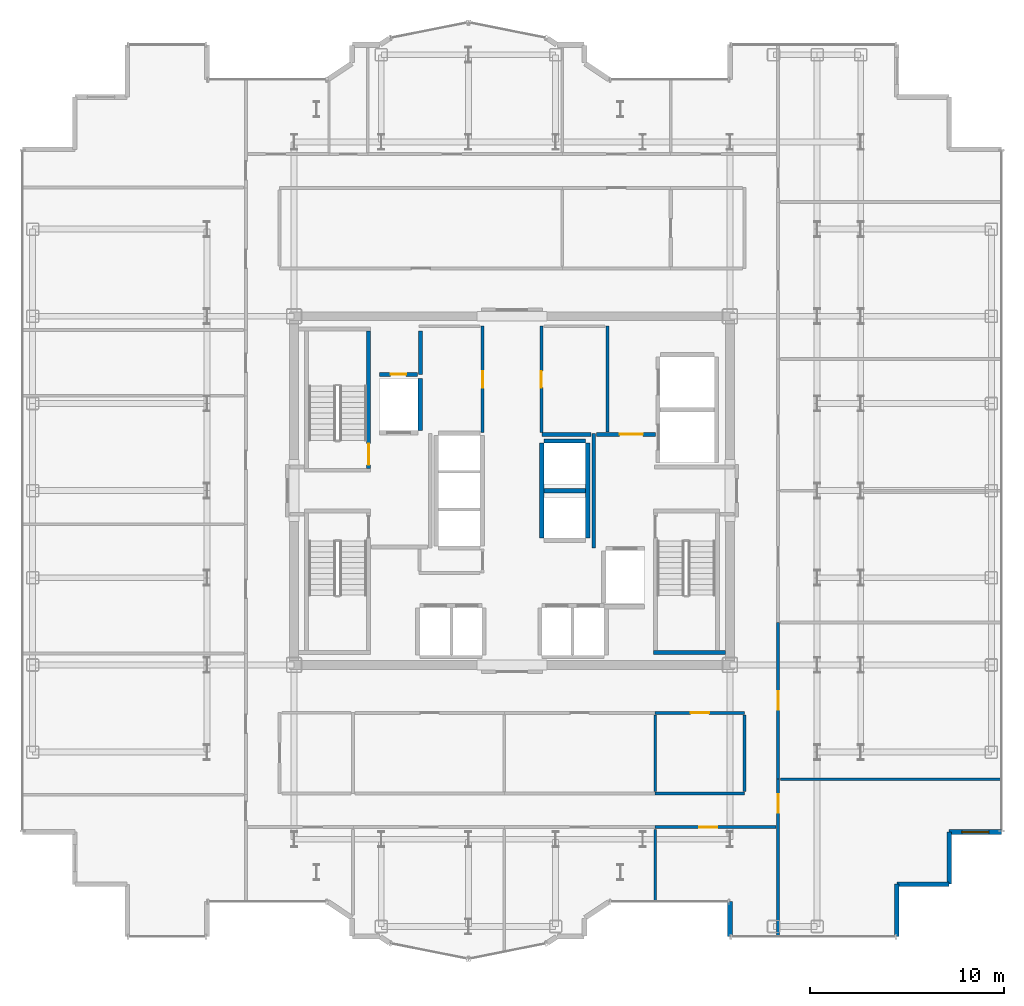
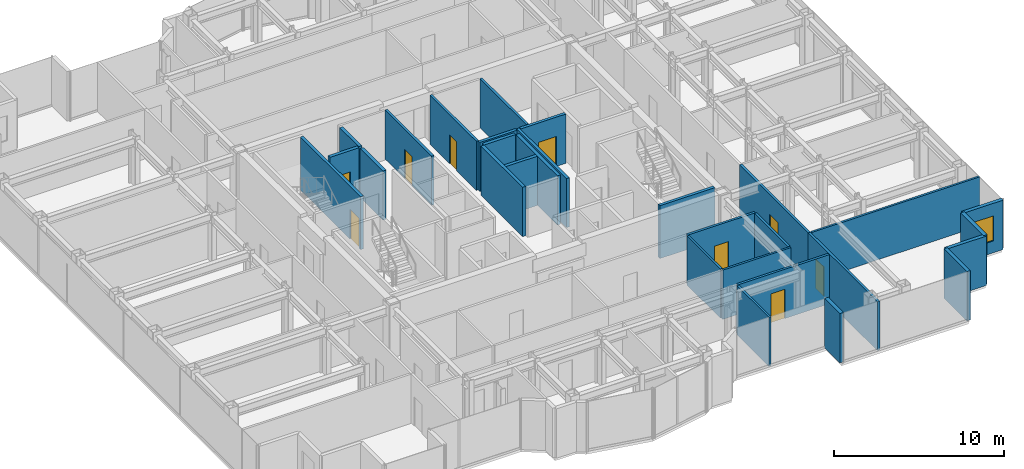
# One storey, part 16 of 20: 29 walls, 9 doors, 1 window, 10 openings.
"""IFC4 building model written with IfcOpenShell, lengths in metres."""

from ifc_helpers import new_model, si_unit, direction, frame, frame_2d, origin, place, context, subcontext, project, spatial, rectangle, extrude, source, transform, mapped, material, layer, layer_set, type_object, element, fill, save


model = new_model("IFC4")

# Units and contexts
model_context = context("Model", 3, precision=1e-05, world=origin(), true_north=direction((0.0, 1.0)))
body_context = subcontext(model_context, "Body", "Model", "MODEL_VIEW")
ifc_project = project(units=[si_unit("LENGTHUNIT", "METRE"), si_unit("AREAUNIT", "SQUARE_METRE"), si_unit("VOLUMEUNIT", "CUBIC_METRE"), si_unit("PLANEANGLEUNIT", "RADIAN"), si_unit("MASSUNIT", "GRAM", prefix="KILO")], contexts=[model_context])

# Site, building, storey
site_placement = place(None, origin())
site = spatial("IfcSite", under=ifc_project, at=site_placement, CompositionType="ELEMENT")
building_placement = place(site_placement, origin())
building = spatial("IfcBuilding", under=site, at=building_placement, Name="Nefas-Gora Pilgrimage Tower", CompositionType="ELEMENT")
storey_placement = place(building_placement, frame((0.0, 0.0, 214.199951171875)))
storey = spatial("IfcBuildingStorey", under=building, at=storey_placement, Name="L53", CompositionType="ELEMENT", Elevation=214.199951171875)

# Walls
ifc_material_1 = material(Name="Precast concrete C40/50", Category="concrete")
ifc_layer_1 = layer(ifc_material_1, 0.260009765625)
ifc_layer_set_1 = layer_set([ifc_layer_1], Name="Precast concrete C40/50")
wall_type_1 = type_object("IfcWallType", Name="EW-PORTAL-260", PredefinedType="SOLIDWALL", material=ifc_layer_set_1)
shared_shape_1 = source(origin(), body_context, "Body", "SweptSolid", [
    extrude(rectangle(XDim=1.800048828125, YDim=0.260009765625, at=frame_2d((0.89990234375, 0.0))), origin(), (0.0, 0.0, 1.0), 3.550048828125),
])
wall_1_placement = place(storey_placement, frame((11.25, -21.219970703125, 0.0), z_axis=(0.0, 0.0, 1.0), x_axis=(0.0, -1.0, 0.0)))
element("IfcWall", 1, at=wall_1_placement, inside=storey, type_object=wall_type_1, Name="L53 Lobe Shoulder Precast Spandrel Pier 1", PredefinedType="SOLIDWALL", context=body_context, shape_type="MappedRepresentation", body=[
    mapped(shared_shape_1, transform((0.0, 0.0, 0.0), x_axis=(1.0, 0.0, 0.0), y_axis=(0.0, 1.0, 0.0), z_axis=(0.0, 0.0, 1.0), scale=1.0)),
])
ifc_material_2 = material(Name="Precast concrete C45/55", Category="concrete")
ifc_layer_2 = layer(ifc_material_2, 0.239990234375)
ifc_layer_set_2 = layer_set([ifc_layer_2], Name="Precast concrete C45/55")
wall_type_2 = type_object("IfcWallType", Name="EW-SERR-240", PredefinedType="SHEAR", material=ifc_layer_set_2)
shared_shape_2 = source(origin(), body_context, "Body", "SweptSolid", [
    extrude(rectangle(XDim=2.699951171875, YDim=0.239990234375, at=frame_2d((1.35009765625, 0.0))), origin(), (0.0, 0.0, 1.0), 3.550048828125),
])
for number, where, z_axis, x_axis, name in (
    (2, (19.8701171875, -23.02001953125, 0.0), (0.0, 0.0, 1.0), (0.0, 1.0, 0.0), "L53 Serrated Corner Shear Pier Wall 2"),
    (3, (19.8701171875, -20.320068359375, 0.0), (0.0, 0.0, 1.0), (1.0, 0.0, 0.0), "L53 Serrated Corner Shear Pier Wall 3"),
    (4, (22.570068359375, -20.320068359375, 0.0), (0.0, 0.0, 1.0), (0.0, 1.0, 0.0), "L53 Serrated Corner Shear Pier Wall 4"),
):
    element("IfcWall", number, at=place(storey_placement, frame(where, z_axis=z_axis, x_axis=x_axis)), inside=storey, type_object=wall_type_2, Name=name, PredefinedType="SHEAR", context=body_context, shape_type="MappedRepresentation", body=[
        mapped(shared_shape_2, transform((0.0, 0.0, 0.0), x_axis=(1.0, 0.0, 0.0), y_axis=(0.0, 1.0, 0.0), z_axis=(0.0, 0.0, 1.0), scale=1.0)),
    ])

# Wall, opening, window
wall_2_placement = place(storey_placement, frame((22.570068359375, -17.6201171875, 0.0), z_axis=(0.0, 0.0, 1.0), x_axis=(1.0, 0.0, 0.0)))
wall_2 = element("IfcWall", 5, at=wall_2_placement, inside=storey, type_object=wall_type_2, Name="L53 Serrated Corner Shear Pier Wall 5", PredefinedType="SHEAR", context=body_context, shape_type="MappedRepresentation", body=[
    mapped(shared_shape_2, transform((0.0, 0.0, 0.0), x_axis=(1.0, 0.0, 0.0), y_axis=(0.0, 1.0, 0.0), z_axis=(0.0, 0.0, 1.0), scale=1.0)),
])
opening_1_placement = place(wall_2_placement, frame((0.64990234375, 0.0, 0.85009765625)))
opening_1 = element("IfcOpeningElement", 6, at=opening_1_placement, cuts=wall_2, Name="Opening W-V2", PredefinedType="OPENING", context=body_context, shape_type="SweptSolid", body=[
    extrude(rectangle(XDim=1.39990234375, YDim=1.800048828125, at=frame_2d((0.699951171875, 0.89990234375))), frame((0.0, 0.1298828125, 0.0), z_axis=(0.0, -1.0, 0.0), x_axis=(1.0, 0.0, 0.0)), (0.0, 0.0, 1.0), 0.260009765625),
])
ifc_material_3 = material(Name="Dark ceramic-fritted operable aluminium-glass window", Category="aluminium")
window_type = type_object("IfcWindowType", Name="WIN-VENT-1400x1800", PartitioningType="SINGLE_PANEL", PredefinedType="WINDOW", material=ifc_material_3)
shared_shape_3 = source(origin(), body_context, "Body", "SweptSolid", [
    extrude(rectangle(XDim=1.39990234375, YDim=1.800048828125, at=frame_2d((0.699951171875, 0.89990234375))), frame((0.0, 0.030029296875, 0.0), z_axis=(0.0, -1.0, 0.0), x_axis=(1.0, 0.0, 0.0)), (0.0, 0.0, 1.0), 0.06005859375),
])
window_placement = place(opening_1_placement, origin())
window = element("IfcWindow", 7, at=window_placement, inside=storey, type_object=window_type, Name="L53 Operable Parallel-Outswing Window 5", OverallHeight=1.800048828125, OverallWidth=1.39990234375, PartitioningType="SINGLE_PANEL", PredefinedType="WINDOW", context=body_context, shape_type="MappedRepresentation", body=[
    mapped(shared_shape_3, transform((0.0, 0.0, 0.0), x_axis=(1.0, 0.0, 0.0), y_axis=(0.0, 1.0, 0.0), z_axis=(0.0, 0.0, 1.0), scale=1.0)),
])
fill(opening_1, window)

# Wall, opening, door
ifc_material_4 = material(Name="Concrete C45/55", Category="concrete")
ifc_layer_3 = layer(ifc_material_4, 0.199951171875)
ifc_layer_set_3 = layer_set([ifc_layer_3], Name="Concrete C45/55")
wall_type_3 = type_object("IfcWallType", Name="IW-STAIR-200", PredefinedType="SOLIDWALL", material=ifc_layer_set_3)
shared_shape_4 = source(origin(), body_context, "Body", "SweptSolid", [
    extrude(rectangle(XDim=7.10009765625, YDim=0.199951171875, at=frame_2d((3.550048828125, 0.0))), origin(), (0.0, 0.0, 1.0), 3.800048828125),
])
wall_3_placement = place(storey_placement, frame((-7.39990234375, 1.14990234375, 0.0), z_axis=(0.0, 0.0, 1.0), x_axis=(0.0, 1.0, 0.0)))
wall_3 = element("IfcWall", 8, at=wall_3_placement, inside=storey, type_object=wall_type_3, Name="L53 Stairwell Shear Wall ST-01-left", PredefinedType="SOLIDWALL", context=body_context, shape_type="MappedRepresentation", body=[
    mapped(shared_shape_4, transform((0.0, 0.0, 0.0), x_axis=(1.0, 0.0, 0.0), y_axis=(0.0, 1.0, 0.0), z_axis=(0.0, 0.0, 1.0), scale=1.0)),
])
opening_2_placement = place(wall_3_placement, frame((0.179931640625, 0.0, 0.0)))
opening_2 = element("IfcOpeningElement", 9, at=opening_2_placement, cuts=wall_3, Name="Opening ID-ST1", PredefinedType="OPENING", context=body_context, shape_type="SweptSolid", body=[
    extrude(rectangle(XDim=1.10009765625, YDim=2.14990234375, at=frame_2d((0.550048828125, 1.074951171875))), frame((0.0, 0.10986328125, 0.0), z_axis=(0.0, -1.0, 0.0), x_axis=(1.0, 0.0, 0.0)), (0.0, 0.0, 1.0), 0.219970703125),
])
ifc_material_5 = material(Name="Painted galvanised steel fire stair door", Category="steel")
door_type_1 = type_object("IfcDoorType", Name="DR-INT-STAIR-1100", OperationType="NOTDEFINED", PredefinedType="DOOR", material=ifc_material_5)
shared_shape_5 = source(origin(), body_context, "Body", "SweptSolid", [
    extrude(rectangle(XDim=1.10009765625, YDim=2.14990234375, at=frame_2d((0.550048828125, 1.074951171875))), frame((0.0, 0.02490234375, 0.0), z_axis=(0.0, -1.0, 0.0), x_axis=(1.0, 0.0, 0.0)), (0.0, 0.0, 1.0), 0.050048828125),
])
door_1_placement = place(opening_2_placement, origin())
door_1 = element("IfcDoor", 10, at=door_1_placement, inside=storey, type_object=door_type_1, Name="L53 Protected Exit Stair Door ST-01", OperationType="SINGLE_SWING_LEFT", OverallHeight=2.14990234375, OverallWidth=1.10009765625, PredefinedType="DOOR", context=body_context, shape_type="MappedRepresentation", body=[
    mapped(shared_shape_5, transform((0.0, 0.0, 0.0), x_axis=(1.0, 0.0, 0.0), y_axis=(0.0, 1.0, 0.0), z_axis=(0.0, 0.0, 1.0), scale=1.0)),
])
fill(opening_2, door_1)

# Walls
shared_shape_6 = source(origin(), body_context, "Body", "SweptSolid", [
    extrude(rectangle(XDim=3.72998046875, YDim=0.199951171875, at=frame_2d((1.864990234375, 0.0))), origin(), (0.0, 0.0, 1.0), 3.800048828125),
])
wall_4_placement = place(storey_placement, frame((7.300048828125, -8.35009765625, 0.0), z_axis=(0.0, 0.0, 1.0), x_axis=(1.0, 0.0, 0.0)))
element("IfcWall", 11, at=wall_4_placement, inside=storey, type_object=wall_type_3, Name="L53 Stairwell Shear Wall ST-02-far", PredefinedType="SOLIDWALL", context=body_context, shape_type="MappedRepresentation", body=[
    mapped(shared_shape_6, transform((0.0, 0.0, 0.0), x_axis=(1.0, 0.0, 0.0), y_axis=(0.0, 1.0, 0.0), z_axis=(0.0, 0.0, 1.0), scale=1.0)),
])
ifc_material_6 = material(Name="Concrete C40/50", Category="concrete")
ifc_layer_4 = layer(ifc_material_6, 0.219970703125)
ifc_layer_set_4 = layer_set([ifc_layer_4], Name="Concrete C40/50")
wall_type_4 = type_object("IfcWallType", Name="IW-SHAFT-220", PredefinedType="SOLIDWALL", material=ifc_layer_set_4)
shared_shape_7 = source(origin(), body_context, "Body", "SweptSolid", [
    extrude(rectangle(XDim=2.679931640625, YDim=0.219970703125, at=frame_2d((1.33984375, 0.0))), origin(), (0.0, 0.0, 1.0), 3.53515625),
])
wall_5_placement = place(storey_placement, frame((-4.739990234375, 3.110107421875, 0.0), z_axis=(0.0, 0.0, 1.0), x_axis=(0.0, 1.0, 0.0)))
element("IfcWall", 12, at=wall_5_placement, inside=storey, type_object=wall_type_4, Name="L53 Hoistway Wall FFL-01-E", PredefinedType="SOLIDWALL", context=body_context, shape_type="MappedRepresentation", body=[
    mapped(shared_shape_7, transform((0.0, 0.0, 0.0), x_axis=(1.0, 0.0, 0.0), y_axis=(0.0, 1.0, 0.0), z_axis=(0.0, 0.0, 1.0), scale=1.0)),
])
shared_shape_8 = source(origin(), body_context, "Body", "SweptSolid", [
    extrude(rectangle(XDim=2.130126953125, YDim=0.219970703125, at=frame_2d((1.06494140625, 0.0))), origin(), (0.0, 0.0, 1.0), 3.53515625),
])
for number, where, z_axis, x_axis, name in (
    (13, (1.659912109375, 0.0, 0.0), (0.0, 0.0, 1.0), (1.0, 0.0, 0.0), "L53 Hoistway Wall OBS-01-02-DIV"),
    (14, (3.7900390625, 2.56005859375, 0.0), (0.0, 0.0, 1.0), (-1.0, 0.0, 0.0), "L53 Hoistway Wall OBS-02-N"),
):
    element("IfcWall", number, at=place(storey_placement, frame(where, z_axis=z_axis, x_axis=x_axis)), inside=storey, type_object=wall_type_4, Name=name, PredefinedType="SOLIDWALL", context=body_context, shape_type="MappedRepresentation", body=[
        mapped(shared_shape_8, transform((0.0, 0.0, 0.0), x_axis=(1.0, 0.0, 0.0), y_axis=(0.0, 1.0, 0.0), z_axis=(0.0, 0.0, 1.0), scale=1.0)),
    ])
shared_shape_9 = source(origin(), body_context, "Body", "SweptSolid", [
    extrude(rectangle(XDim=4.89990234375, YDim=0.219970703125, at=frame_2d((2.449951171875, 0.0))), origin(), (0.0, 0.0, 1.0), 3.53515625),
])
for number, where, z_axis, x_axis, name in (
    (15, (1.5400390625, 2.449951171875, 0.0), (0.0, 0.0, 1.0), (0.0, -1.0, 0.0), "L53 Hoistway Wall OBS-01-02-W"),
    (16, (3.909912109375, -2.449951171875, 0.0), (0.0, 0.0, 1.0), (0.0, 1.0, 0.0), "L53 Hoistway Wall OBS-01-02-E"),
):
    element("IfcWall", number, at=place(storey_placement, frame(where, z_axis=z_axis, x_axis=x_axis)), inside=storey, type_object=wall_type_4, Name=name, PredefinedType="SOLIDWALL", context=body_context, shape_type="MappedRepresentation", body=[
        mapped(shared_shape_9, transform((0.0, 0.0, 0.0), x_axis=(1.0, 0.0, 0.0), y_axis=(0.0, 1.0, 0.0), z_axis=(0.0, 0.0, 1.0), scale=1.0)),
    ])
ifc_material_7 = material(Name="Gypsum fire-rated shaftwall")
ifc_layer_5 = layer(ifc_material_7, 0.199951171875)
ifc_layer_set_5 = layer_set([ifc_layer_5], Name="Gypsum fire-rated shaftwall")
wall_type_5 = type_object("IfcWallType", Name="IW-FFLOB-200", PredefinedType="PARTITIONING", material=ifc_layer_set_5)
shared_shape_10 = source(origin(), body_context, "Body", "SweptSolid", [
    extrude(rectangle(XDim=5.89990234375, YDim=0.199951171875, at=frame_2d((2.949951171875, 0.0))), origin(), (0.0, 0.0, 1.0), 3.53515625),
])
wall_6_placement = place(storey_placement, frame((4.219970703125, -2.949951171875, 0.0), z_axis=(0.0, 0.0, 1.0), x_axis=(0.0, 1.0, 0.0)))
element("IfcWall", 17, at=wall_6_placement, inside=storey, type_object=wall_type_5, Name="L53 FF Lobby East Inner Wall Wall 10", PredefinedType="PARTITIONING", context=body_context, shape_type="MappedRepresentation", body=[
    mapped(shared_shape_10, transform((0.0, 0.0, 0.0), x_axis=(1.0, 0.0, 0.0), y_axis=(0.0, 1.0, 0.0), z_axis=(0.0, 0.0, 1.0), scale=1.0)),
])

# Wall, opening, door
shared_shape_11 = source(origin(), body_context, "Body", "SweptSolid", [
    extrude(rectangle(XDim=3.039794921875, YDim=0.199951171875, at=frame_2d((1.52001953125, 0.0))), origin(), (0.0, 0.0, 1.0), 3.53515625),
])
wall_7_placement = place(storey_placement, frame((4.360107421875, 2.89990234375, 0.0), z_axis=(0.0, 0.0, 1.0), x_axis=(1.0, 0.0, 0.0)))
wall_7 = element("IfcWall", 18, at=wall_7_placement, inside=storey, type_object=wall_type_5, Name="L53 FF Lobby East North Wall Wall 12", PredefinedType="PARTITIONING", context=body_context, shape_type="MappedRepresentation", body=[
    mapped(shared_shape_11, transform((0.0, 0.0, 0.0), x_axis=(1.0, 0.0, 0.0), y_axis=(0.0, 1.0, 0.0), z_axis=(0.0, 0.0, 1.0), scale=1.0)),
])
opening_3_placement = place(wall_7_placement, frame((1.18994140625, 0.0, 0.0)))
opening_3 = element("IfcOpeningElement", 19, at=opening_3_placement, cuts=wall_7, Name="Opening ID-PL1", PredefinedType="OPENING", context=body_context, shape_type="SweptSolid", body=[
    extrude(rectangle(XDim=1.199951171875, YDim=2.14990234375, at=frame_2d((0.60009765625, 1.074951171875))), frame((0.0, 0.10986328125, 0.0), z_axis=(0.0, -1.0, 0.0), x_axis=(1.0, 0.0, 0.0)), (0.0, 0.0, 1.0), 0.219970703125),
])
ifc_material_8 = material(Name="Heavy-duty steel plant room fire door", Category="steel")
door_type_2 = type_object("IfcDoorType", Name="DR-INT-PLANT-1200", OperationType="NOTDEFINED", PredefinedType="DOOR", material=ifc_material_8)
shared_shape_12 = source(origin(), body_context, "Body", "SweptSolid", [
    extrude(rectangle(XDim=1.199951171875, YDim=2.14990234375, at=frame_2d((0.60009765625, 1.074951171875))), frame((0.0, 0.02490234375, 0.0), z_axis=(0.0, -1.0, 0.0), x_axis=(1.0, 0.0, 0.0)), (0.0, 0.0, 1.0), 0.050048828125),
])
door_2_placement = place(opening_3_placement, origin())
door_2 = element("IfcDoor", 20, at=door_2_placement, inside=storey, type_object=door_type_2, Name="L53 Service Lift Lobby Door Door 4", OperationType="SINGLE_SWING_RIGHT", OverallHeight=2.14990234375, OverallWidth=1.199951171875, PredefinedType="DOOR", context=body_context, shape_type="MappedRepresentation", body=[
    mapped(shared_shape_12, transform((0.0, 0.0, 0.0), x_axis=(1.0, 0.0, 0.0), y_axis=(0.0, 1.0, 0.0), z_axis=(0.0, 0.0, 1.0), scale=1.0)),
])
fill(opening_3, door_2)

ifc_material_9 = material(Name="Gypsum acoustic stud partition")
ifc_layer_6 = layer(ifc_material_9, 0.159912109375)
ifc_layer_set_6 = layer_set([ifc_layer_6], Name="Gypsum acoustic stud partition")
wall_type_6 = type_object("IfcWallType", Name="IW-CORR-160", PredefinedType="PARTITIONING", material=ifc_layer_set_6)
shared_shape_13 = source(origin(), body_context, "Body", "SweptSolid", [
    extrude(rectangle(XDim=6.22509765625, YDim=0.159912109375, at=frame_2d((3.112548828125, 0.0))), origin(), (0.0, 0.0, 1.0), 3.53515625),
])
wall_8_placement = place(storey_placement, frame((7.39501953125, -17.3701171875, 0.0), z_axis=(0.0, 0.0, 1.0), x_axis=(1.0, 0.0, 0.0)))
wall_8 = element("IfcWall", 21, at=wall_8_placement, inside=storey, type_object=wall_type_6, Name="L53 Pilgrim Contemplative Lounge Partition Wall 84", PredefinedType="PARTITIONING", context=body_context, shape_type="MappedRepresentation", body=[
    mapped(shared_shape_13, transform((0.0, 0.0, 0.0), x_axis=(1.0, 0.0, 0.0), y_axis=(0.0, 1.0, 0.0), z_axis=(0.0, 0.0, 1.0), scale=1.0)),
])
opening_4_placement = place(wall_8_placement, frame((2.26025390625, 0.0, 0.0)))
opening_4 = element("IfcOpeningElement", 22, at=opening_4_placement, cuts=wall_8, Name="Opening ID-GR1", PredefinedType="OPENING", context=body_context, shape_type="SweptSolid", body=[
    extrude(rectangle(XDim=0.949951171875, YDim=2.10009765625, at=frame_2d((0.47509765625, 1.050048828125))), frame((0.0, 0.08984375, 0.0), z_axis=(0.0, -1.0, 0.0), x_axis=(1.0, 0.0, 0.0)), (0.0, 0.0, 1.0), 0.179931640625),
])
ifc_material_10 = material(Name="Solid core oak fire-rated guest entrance door")
door_type_3 = type_object("IfcDoorType", Name="DR-INT-GUEST-950", OperationType="NOTDEFINED", PredefinedType="DOOR", material=ifc_material_10)
shared_shape_14 = source(origin(), body_context, "Body", "SweptSolid", [
    extrude(rectangle(XDim=0.949951171875, YDim=2.10009765625, at=frame_2d((0.47509765625, 1.050048828125))), frame((0.0, 0.02490234375, 0.0), z_axis=(0.0, -1.0, 0.0), x_axis=(1.0, 0.0, 0.0)), (0.0, 0.0, 1.0), 0.050048828125),
])
door_3_placement = place(opening_4_placement, origin())
door_3 = element("IfcDoor", 23, at=door_3_placement, inside=storey, type_object=door_type_3, Name="L53 Pilgrim Contemplative Lounge Door 37", OperationType="SINGLE_SWING_LEFT", OverallHeight=2.10009765625, OverallWidth=0.949951171875, PredefinedType="DOOR", context=body_context, shape_type="MappedRepresentation", body=[
    mapped(shared_shape_14, transform((0.0, 0.0, 0.0), x_axis=(1.0, 0.0, 0.0), y_axis=(0.0, 1.0, 0.0), z_axis=(0.0, 0.0, 1.0), scale=1.0)),
])
fill(opening_4, door_3)

# Wall
shared_shape_15 = source(origin(), body_context, "Body", "SweptSolid", [
    extrude(rectangle(XDim=2.25, YDim=0.219970703125, at=frame_2d((1.125, 0.0))), origin(), (0.0, 0.0, 1.0), 3.53515625),
])
wall_9_placement = place(storey_placement, frame((-4.719970703125, 6.0, 0.0), z_axis=(0.0, 0.0, 1.0), x_axis=(0.0, 1.0, 0.0)))
element("IfcWall", 24, at=wall_9_placement, inside=storey, type_object=wall_type_4, Name="L53 Riser Shaft Wall 1", PredefinedType="SOLIDWALL", context=body_context, shape_type="MappedRepresentation", body=[
    mapped(shared_shape_15, transform((0.0, 0.0, 0.0), x_axis=(1.0, 0.0, 0.0), y_axis=(0.0, 1.0, 0.0), z_axis=(0.0, 0.0, 1.0), scale=1.0)),
])

# Wall, opening, door
shared_shape_16 = source(origin(), body_context, "Body", "SweptSolid", [
    extrude(rectangle(XDim=1.97998046875, YDim=0.219970703125, at=frame_2d((0.989990234375, 0.0))), origin(), (0.0, 0.0, 1.0), 3.53515625),
])
wall_10_placement = place(storey_placement, frame((-6.85009765625, 6.0, 0.0), z_axis=(0.0, 0.0, 1.0), x_axis=(1.0, 0.0, 0.0)))
wall_10 = element("IfcWall", 25, at=wall_10_placement, inside=storey, type_object=wall_type_4, Name="L53 Riser Shaft Wall 2", PredefinedType="SOLIDWALL", context=body_context, shape_type="MappedRepresentation", body=[
    mapped(shared_shape_16, transform((0.0, 0.0, 0.0), x_axis=(1.0, 0.0, 0.0), y_axis=(0.0, 1.0, 0.0), z_axis=(0.0, 0.0, 1.0), scale=1.0)),
])
opening_5_placement = place(wall_10_placement, frame((0.590087890625, 0.0, 0.0)))
opening_5 = element("IfcOpeningElement", 26, at=opening_5_placement, cuts=wall_10, Name="Opening ID-TR1", PredefinedType="OPENING", context=body_context, shape_type="SweptSolid", body=[
    extrude(rectangle(XDim=0.800048828125, YDim=2.0, at=frame_2d((0.39990234375, 1.0))), frame((0.0, 0.119873046875, 0.0), z_axis=(0.0, -1.0, 0.0), x_axis=(1.0, 0.0, 0.0)), (0.0, 0.0, 1.0), 0.239990234375),
])
ifc_material_11 = material(Name="Riser maintenance fire access door")
door_type_4 = type_object("IfcDoorType", Name="DR-INT-TRAP-800", OperationType="NOTDEFINED", PredefinedType="TRAPDOOR", material=ifc_material_11)
shared_shape_17 = source(origin(), body_context, "Body", "SweptSolid", [
    extrude(rectangle(XDim=0.800048828125, YDim=2.0, at=frame_2d((0.39990234375, 1.0))), frame((0.0, 0.02490234375, 0.0), z_axis=(0.0, -1.0, 0.0), x_axis=(1.0, 0.0, 0.0)), (0.0, 0.0, 1.0), 0.050048828125),
])
door_4_placement = place(opening_5_placement, origin())
door_4 = element("IfcDoor", 27, at=door_4_placement, inside=storey, type_object=door_type_4, Name="L53 Riser Shaft Door 1", OperationType="SINGLE_SWING_LEFT", OverallHeight=2.0, OverallWidth=0.800048828125, PredefinedType="TRAPDOOR", context=body_context, shape_type="MappedRepresentation", body=[
    mapped(shared_shape_17, transform((0.0, 0.0, 0.0), x_axis=(1.0, 0.0, 0.0), y_axis=(0.0, 1.0, 0.0), z_axis=(0.0, 0.0, 1.0), scale=1.0)),
])
fill(opening_5, door_4)

# Walls
shared_shape_18 = source(origin(), body_context, "Body", "SweptSolid", [
    extrude(rectangle(XDim=2.52001953125, YDim=0.199951171875, at=frame_2d((1.260009765625, 0.0))), origin(), (0.0, 0.0, 1.0), 3.53515625),
])
wall_11_placement = place(storey_placement, frame((1.56005859375, 2.89990234375, 0.0), z_axis=(0.0, 0.0, 1.0), x_axis=(1.0, 0.0, 0.0)))
element("IfcWall", 28, at=wall_11_placement, inside=storey, type_object=wall_type_5, Name="L53 FF Lobby East North Wall Wall 11", PredefinedType="PARTITIONING", context=body_context, shape_type="MappedRepresentation", body=[
    mapped(shared_shape_18, transform((0.0, 0.0, 0.0), x_axis=(1.0, 0.0, 0.0), y_axis=(0.0, 1.0, 0.0), z_axis=(0.0, 0.0, 1.0), scale=1.0)),
])
shared_shape_19 = source(origin(), body_context, "Body", "SweptSolid", [
    extrude(rectangle(XDim=5.449951171875, YDim=0.159912109375, at=frame_2d((2.72509765625, 0.0))), origin(), (0.0, 0.0, 1.0), 3.53515625),
])
wall_12_placement = place(storey_placement, frame((4.919921875, 3.0400390625, 0.0), z_axis=(0.0, 0.0, 1.0), x_axis=(0.0, 1.0, 0.0)))
element("IfcWall", 29, at=wall_12_placement, inside=storey, type_object=wall_type_6, Name="L53 Service Lift Lobby West Wall Wall 17", PredefinedType="PARTITIONING", context=body_context, shape_type="MappedRepresentation", body=[
    mapped(shared_shape_19, transform((0.0, 0.0, 0.0), x_axis=(1.0, 0.0, 0.0), y_axis=(0.0, 1.0, 0.0), z_axis=(0.0, 0.0, 1.0), scale=1.0)),
])
ifc_material_12 = material(Name="Gypsum twin-stud partition")
ifc_layer_7 = layer(ifc_material_12, 0.139892578125)
ifc_layer_set_7 = layer_set([ifc_layer_7], Name="Gypsum twin-stud partition")
wall_type_7 = type_object("IfcWallType", Name="IW-UNIT-140", PredefinedType="PARTITIONING", material=ifc_layer_set_7)
shared_shape_20 = source(origin(), body_context, "Body", "SweptSolid", [
    extrude(rectangle(XDim=11.429931640625, YDim=0.139892578125, at=frame_2d((5.71484375, 0.0))), origin(), (0.0, 0.0, 1.0), 3.53515625),
])
wall_13_placement = place(storey_placement, frame((13.860107421875, -14.8974609375, 0.0), z_axis=(0.0, 0.0, 1.0), x_axis=(1.0, 0.0, 0.0)))
element("IfcWall", 30, at=wall_13_placement, inside=storey, type_object=wall_type_7, Name="L53 Pilgrim Fellowship Seminar Room Partition Wall 42", PredefinedType="PARTITIONING", context=body_context, shape_type="MappedRepresentation", body=[
    mapped(shared_shape_20, transform((0.0, 0.0, 0.0), x_axis=(1.0, 0.0, 0.0), y_axis=(0.0, 1.0, 0.0), z_axis=(0.0, 0.0, 1.0), scale=1.0)),
])
shared_shape_21 = source(origin(), body_context, "Body", "SweptSolid", [
    extrude(rectangle(XDim=3.929931640625, YDim=0.139892578125, at=frame_2d((1.96484375, 0.0))), origin(), (0.0, 0.0, 1.0), 3.53515625),
])
for number, where, z_axis, x_axis, name in (
    (31, (7.39501953125, -15.52001953125, 0.0), (0.0, 0.0, 1.0), (0.0, 1.0, 0.0), "L53 Pilgrim Contemplative Lounge Partition Wall 83"),
    (32, (12.0, -15.52001953125, 0.0), (0.0, 0.0, 1.0), (0.0, 1.0, 0.0), "L53 Pilgrim Contemplative Lounge Partition Wall 87"),
):
    element("IfcWall", number, at=place(storey_placement, frame(where, z_axis=z_axis, x_axis=x_axis)), inside=storey, type_object=wall_type_7, Name=name, PredefinedType="PARTITIONING", context=body_context, shape_type="MappedRepresentation", body=[
        mapped(shared_shape_21, transform((0.0, 0.0, 0.0), x_axis=(1.0, 0.0, 0.0), y_axis=(0.0, 1.0, 0.0), z_axis=(0.0, 0.0, 1.0), scale=1.0)),
    ])
shared_shape_22 = source(origin(), body_context, "Body", "SweptSolid", [
    extrude(rectangle(XDim=3.75, YDim=0.139892578125, at=frame_2d((1.875, 0.0))), origin(), (0.0, 0.0, 1.0), 3.53515625),
])
wall_14_placement = place(storey_placement, frame((7.39501953125, -21.239990234375, 0.0), z_axis=(0.0, 0.0, 1.0), x_axis=(0.0, 1.0, 0.0)))
element("IfcWall", 33, at=wall_14_placement, inside=storey, type_object=wall_type_7, Name="L53 Pilgrim Contemplative Lounge Partition Wall 80", PredefinedType="PARTITIONING", context=body_context, shape_type="MappedRepresentation", body=[
    mapped(shared_shape_22, transform((0.0, 0.0, 0.0), x_axis=(1.0, 0.0, 0.0), y_axis=(0.0, 1.0, 0.0), z_axis=(0.0, 0.0, 1.0), scale=1.0)),
])

# Wall, opening, door
shared_shape_23 = source(origin(), body_context, "Body", "SweptSolid", [
    extrude(rectangle(XDim=5.47998046875, YDim=0.159912109375, at=frame_2d((2.739990234375, 0.0))), origin(), (0.0, 0.0, 1.0), 3.53515625),
])
wall_15_placement = place(storey_placement, frame((-1.52001953125, 3.010009765625, 0.0), z_axis=(0.0, 0.0, 1.0), x_axis=(0.0, 1.0, 0.0)))
wall_15 = element("IfcWall", 34, at=wall_15_placement, inside=storey, type_object=wall_type_6, Name="L53 Housekeeping and Linen Store Wall 18", PredefinedType="PARTITIONING", context=body_context, shape_type="MappedRepresentation", body=[
    mapped(shared_shape_23, transform((0.0, 0.0, 0.0), x_axis=(1.0, 0.0, 0.0), y_axis=(0.0, 1.0, 0.0), z_axis=(0.0, 0.0, 1.0), scale=1.0)),
])
opening_6_placement = place(wall_15_placement, frame((2.31494140625, 0.0, 0.0)))
opening_6 = element("IfcOpeningElement", 35, at=opening_6_placement, cuts=wall_15, Name="Opening ID-BT1", PredefinedType="OPENING", context=body_context, shape_type="SweptSolid", body=[
    extrude(rectangle(XDim=0.85009765625, YDim=2.10009765625, at=frame_2d((0.425048828125, 1.050048828125))), frame((0.0, 0.08984375, 0.0), z_axis=(0.0, -1.0, 0.0), x_axis=(1.0, 0.0, 0.0)), (0.0, 0.0, 1.0), 0.179931640625),
])
ifc_material_13 = material(Name="Moisture-resistant fire-rated timber door", Category="wood")
door_type_5 = type_object("IfcDoorType", Name="DR-INT-BATH-850", OperationType="NOTDEFINED", PredefinedType="DOOR", material=ifc_material_13)
shared_shape_24 = source(origin(), body_context, "Body", "SweptSolid", [
    extrude(rectangle(XDim=0.85009765625, YDim=2.10009765625, at=frame_2d((0.425048828125, 1.050048828125))), frame((0.0, 0.02490234375, 0.0), z_axis=(0.0, -1.0, 0.0), x_axis=(1.0, 0.0, 0.0)), (0.0, 0.0, 1.0), 0.050048828125),
])
door_5_placement = place(opening_6_placement, origin())
door_5 = element("IfcDoor", 36, at=door_5_placement, inside=storey, type_object=door_type_5, Name="L53 Housekeeping and Linen Store Door 7", OperationType="SINGLE_SWING_LEFT", OverallHeight=2.10009765625, OverallWidth=0.85009765625, PredefinedType="DOOR", context=body_context, shape_type="MappedRepresentation", body=[
    mapped(shared_shape_24, transform((0.0, 0.0, 0.0), x_axis=(1.0, 0.0, 0.0), y_axis=(0.0, 1.0, 0.0), z_axis=(0.0, 0.0, 1.0), scale=1.0)),
])
fill(opening_6, door_5)

wall_16_placement = place(storey_placement, frame((1.52001953125, 3.010009765625, 0.0), z_axis=(0.0, 0.0, 1.0), x_axis=(0.0, 1.0, 0.0)))
wall_16 = element("IfcWall", 37, at=wall_16_placement, inside=storey, type_object=wall_type_6, Name="L53 Freed Bank-1 Amenity Supply Store Wall 23", PredefinedType="PARTITIONING", context=body_context, shape_type="MappedRepresentation", body=[
    mapped(shared_shape_23, transform((0.0, 0.0, 0.0), x_axis=(1.0, 0.0, 0.0), y_axis=(0.0, 1.0, 0.0), z_axis=(0.0, 0.0, 1.0), scale=1.0)),
])
opening_7_placement = place(wall_16_placement, frame((2.31494140625, 0.0, 0.0)))
opening_7 = element("IfcOpeningElement", 38, at=opening_7_placement, cuts=wall_16, Name="Opening ID-BT1", PredefinedType="OPENING", context=body_context, shape_type="SweptSolid", body=[
    extrude(rectangle(XDim=0.85009765625, YDim=2.10009765625, at=frame_2d((0.425048828125, 1.050048828125))), frame((0.0, 0.08984375, 0.0), z_axis=(0.0, -1.0, 0.0), x_axis=(1.0, 0.0, 0.0)), (0.0, 0.0, 1.0), 0.179931640625),
])
door_6_placement = place(opening_7_placement, origin())
door_6 = element("IfcDoor", 39, at=door_6_placement, inside=storey, type_object=door_type_5, Name="L53 Freed Bank-1 Amenity Supply Store Door 9", OperationType="SINGLE_SWING_LEFT", OverallHeight=2.10009765625, OverallWidth=0.85009765625, PredefinedType="DOOR", context=body_context, shape_type="MappedRepresentation", body=[
    mapped(shared_shape_24, transform((0.0, 0.0, 0.0), x_axis=(1.0, 0.0, 0.0), y_axis=(0.0, 1.0, 0.0), z_axis=(0.0, 0.0, 1.0), scale=1.0)),
])
fill(opening_7, door_6)

shared_shape_25 = source(origin(), body_context, "Body", "SweptSolid", [
    extrude(rectangle(XDim=8.152587890625, YDim=0.159912109375, at=frame_2d((4.076171875, 0.0))), origin(), (0.0, 0.0, 1.0), 3.53515625),
])
wall_17_placement = place(storey_placement, frame((13.739990234375, -23.0400390625, 0.0), z_axis=(0.0, 0.0, 1.0), x_axis=(0.0, 1.0, 0.0)))
wall_17 = element("IfcWall", 40, at=wall_17_placement, inside=storey, type_object=wall_type_6, Name="L53 Pilgrim Fellowship Seminar Room Partition Wall 41", PredefinedType="PARTITIONING", context=body_context, shape_type="MappedRepresentation", body=[
    mapped(shared_shape_25, transform((0.0, 0.0, 0.0), x_axis=(1.0, 0.0, 0.0), y_axis=(0.0, 1.0, 0.0), z_axis=(0.0, 0.0, 1.0), scale=1.0)),
])
opening_8_placement = place(wall_17_placement, frame((6.416259765625, 0.0, 0.0)))
opening_8 = element("IfcOpeningElement", 41, at=opening_8_placement, cuts=wall_17, Name="Opening ID-GR1", PredefinedType="OPENING", context=body_context, shape_type="SweptSolid", body=[
    extrude(rectangle(XDim=0.949951171875, YDim=2.10009765625, at=frame_2d((0.47509765625, 1.050048828125))), frame((0.0, 0.08984375, 0.0), z_axis=(0.0, -1.0, 0.0), x_axis=(1.0, 0.0, 0.0)), (0.0, 0.0, 1.0), 0.179931640625),
])
door_7_placement = place(opening_8_placement, origin())
door_7 = element("IfcDoor", 42, at=door_7_placement, inside=storey, type_object=door_type_3, Name="L53 Pilgrim Fellowship Seminar Room Door 18", OperationType="SINGLE_SWING_RIGHT", OverallHeight=2.10009765625, OverallWidth=0.949951171875, PredefinedType="DOOR", context=body_context, shape_type="MappedRepresentation", body=[
    mapped(shared_shape_14, transform((0.0, 0.0, 0.0), x_axis=(1.0, 0.0, 0.0), y_axis=(0.0, 1.0, 0.0), z_axis=(0.0, 0.0, 1.0), scale=1.0)),
])
fill(opening_8, door_7)

shared_shape_26 = source(origin(), body_context, "Body", "SweptSolid", [
    extrude(rectangle(XDim=8.092529296875, YDim=0.159912109375, at=frame_2d((4.04638671875, 0.0))), origin(), (0.0, 0.0, 1.0), 3.53515625),
])
wall_18_placement = place(storey_placement, frame((13.739990234375, -14.887451171875, 0.0), z_axis=(0.0, 0.0, 1.0), x_axis=(0.0, 1.0, 0.0)))
wall_18 = element("IfcWall", 43, at=wall_18_placement, inside=storey, type_object=wall_type_6, Name="L53 Pilgrim Fellowship Seminar Room Partition Wall 43", PredefinedType="PARTITIONING", context=body_context, shape_type="MappedRepresentation", body=[
    mapped(shared_shape_26, transform((0.0, 0.0, 0.0), x_axis=(1.0, 0.0, 0.0), y_axis=(0.0, 1.0, 0.0), z_axis=(0.0, 0.0, 1.0), scale=1.0)),
])
opening_9_placement = place(wall_18_placement, frame((3.5712890625, 0.0, 0.0)))
opening_9 = element("IfcOpeningElement", 44, at=opening_9_placement, cuts=wall_18, Name="Opening ID-GR1", PredefinedType="OPENING", context=body_context, shape_type="SweptSolid", body=[
    extrude(rectangle(XDim=0.949951171875, YDim=2.10009765625, at=frame_2d((0.47509765625, 1.050048828125))), frame((0.0, 0.08984375, 0.0), z_axis=(0.0, -1.0, 0.0), x_axis=(1.0, 0.0, 0.0)), (0.0, 0.0, 1.0), 0.179931640625),
])
door_8_placement = place(opening_9_placement, origin())
door_8 = element("IfcDoor", 45, at=door_8_placement, inside=storey, type_object=door_type_3, Name="L53 Pilgrim Fellowship Seminar Room Door 19", OperationType="SINGLE_SWING_LEFT", OverallHeight=2.10009765625, OverallWidth=0.949951171875, PredefinedType="DOOR", context=body_context, shape_type="MappedRepresentation", body=[
    mapped(shared_shape_14, transform((0.0, 0.0, 0.0), x_axis=(1.0, 0.0, 0.0), y_axis=(0.0, 1.0, 0.0), z_axis=(0.0, 0.0, 1.0), scale=1.0)),
])
fill(opening_9, door_8)

shared_shape_27 = source(origin(), body_context, "Body", "SweptSolid", [
    extrude(rectangle(XDim=4.614990234375, YDim=0.159912109375, at=frame_2d((2.3076171875, 0.0))), origin(), (0.0, 0.0, 1.0), 3.53515625),
])
wall_19_placement = place(storey_placement, frame((7.39501953125, -11.469970703125, 0.0), z_axis=(0.0, 0.0, 1.0), x_axis=(1.0, 0.0, 0.0)))
wall_19 = element("IfcWall", 46, at=wall_19_placement, inside=storey, type_object=wall_type_6, Name="L53 Pilgrim Contemplative Lounge Partition Wall 85", PredefinedType="PARTITIONING", context=body_context, shape_type="MappedRepresentation", body=[
    mapped(shared_shape_27, transform((0.0, 0.0, 0.0), x_axis=(1.0, 0.0, 0.0), y_axis=(0.0, 1.0, 0.0), z_axis=(0.0, 0.0, 1.0), scale=1.0)),
])
opening_10_placement = place(wall_19_placement, frame((1.83251953125, 0.0, 0.0)))
opening_10 = element("IfcOpeningElement", 47, at=opening_10_placement, cuts=wall_19, Name="Opening ID-GR1", PredefinedType="OPENING", context=body_context, shape_type="SweptSolid", body=[
    extrude(rectangle(XDim=0.949951171875, YDim=2.10009765625, at=frame_2d((0.47509765625, 1.050048828125))), frame((0.0, 0.08984375, 0.0), z_axis=(0.0, -1.0, 0.0), x_axis=(1.0, 0.0, 0.0)), (0.0, 0.0, 1.0), 0.179931640625),
])
door_9_placement = place(opening_10_placement, origin())
door_9 = element("IfcDoor", 48, at=door_9_placement, inside=storey, type_object=door_type_3, Name="L53 Pilgrim Contemplative Lounge Door 38", OperationType="SINGLE_SWING_RIGHT", OverallHeight=2.10009765625, OverallWidth=0.949951171875, PredefinedType="DOOR", context=body_context, shape_type="MappedRepresentation", body=[
    mapped(shared_shape_14, transform((0.0, 0.0, 0.0), x_axis=(1.0, 0.0, 0.0), y_axis=(0.0, 1.0, 0.0), z_axis=(0.0, 0.0, 1.0), scale=1.0)),
])
fill(opening_10, door_9)

# Wall
shared_shape_28 = source(origin(), body_context, "Body", "SweptSolid", [
    extrude(rectangle(XDim=4.614990234375, YDim=0.139892578125, at=frame_2d((2.3076171875, 0.0))), origin(), (0.0, 0.0, 1.0), 3.53515625),
])
wall_20_placement = place(storey_placement, frame((7.39501953125, -15.6298828125, 0.0), z_axis=(0.0, 0.0, 1.0), x_axis=(1.0, 0.0, 0.0)))
element("IfcWall", 49, at=wall_20_placement, inside=storey, type_object=wall_type_7, Name="L53 Pilgrim Contemplative Lounge Partition Wall 86", PredefinedType="PARTITIONING", context=body_context, shape_type="MappedRepresentation", body=[
    mapped(shared_shape_28, transform((0.0, 0.0, 0.0), x_axis=(1.0, 0.0, 0.0), y_axis=(0.0, 1.0, 0.0), z_axis=(0.0, 0.0, 1.0), scale=1.0)),
])

save(model, "model.ifc")
